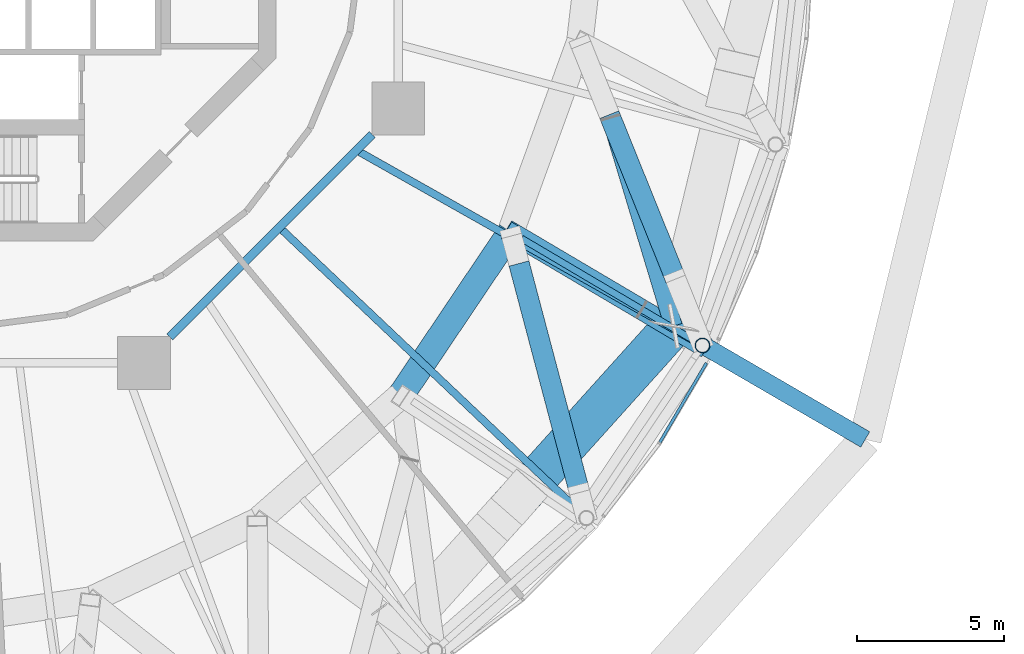
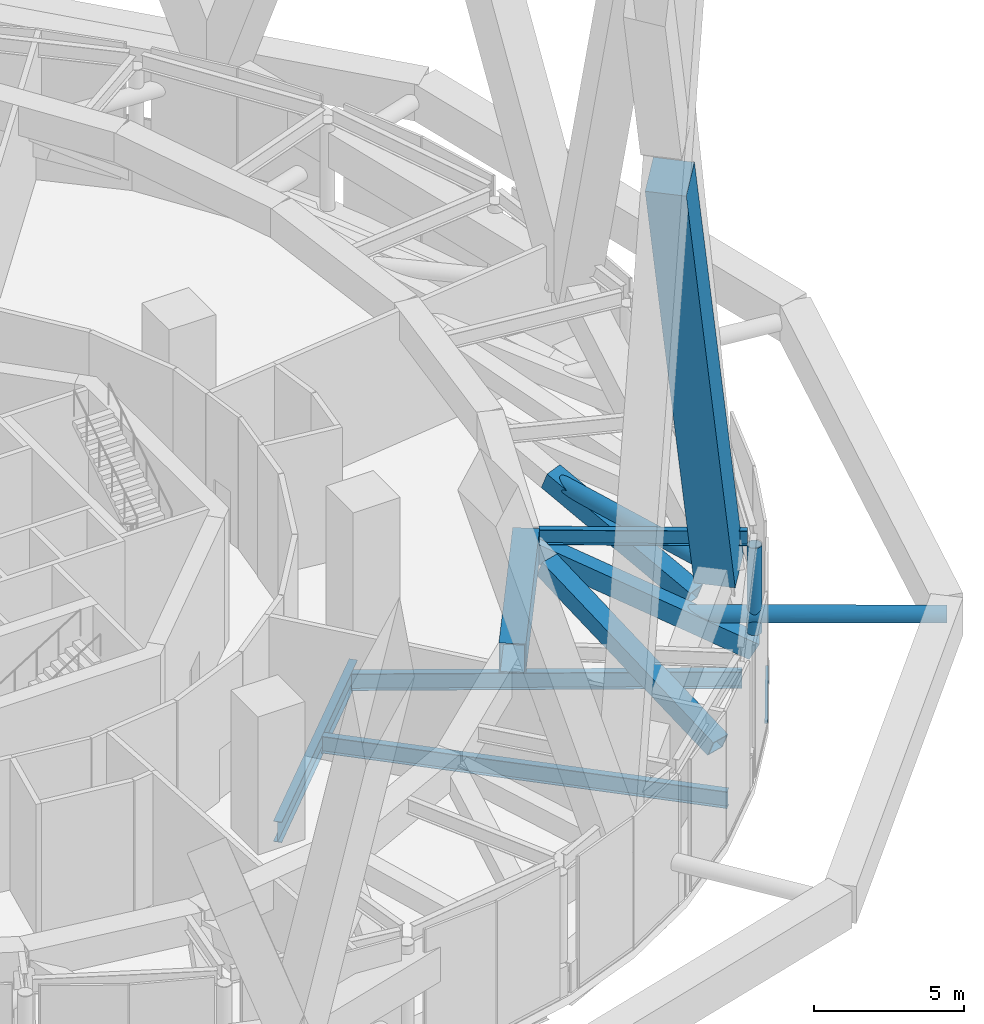
# One storey, part 21 of 60: 8 beams, 5 members, 1 element without a shape of its own.
"""IFC4 building model written with IfcOpenShell, lengths in metres."""

from ifc_helpers import new_model, si_unit, direction, frame, origin, origin_2d, place, context, subcontext, project, spatial, rectangle, hollow_rectangle, hollow_circle, i_section, extrude, material, layer, layer_set, material_profile, profile_set, type_object, element, aggregate, save


model = new_model("IFC4")

# Units and contexts
model_context = context("Model", 3, precision=1e-05, world=origin(), true_north=direction((0.0, 1.0)))
body_context = subcontext(model_context, "Body", "Model", "MODEL_VIEW")
ifc_project = project(units=[si_unit("LENGTHUNIT", "METRE"), si_unit("AREAUNIT", "SQUARE_METRE"), si_unit("VOLUMEUNIT", "CUBIC_METRE"), si_unit("PLANEANGLEUNIT", "RADIAN"), si_unit("MASSUNIT", "GRAM", prefix="KILO")], contexts=[model_context])

# Site, building, storey
site_placement = place(None, origin())
site = spatial("IfcSite", under=ifc_project, at=site_placement, CompositionType="ELEMENT")
building_placement = place(site_placement, origin())
building = spatial("IfcBuilding", under=site, at=building_placement, Name="Nagisa Residences", CompositionType="ELEMENT")
storey_placement = place(building_placement, frame((0.0, 0.0, 206.60009765625)))
storey = spatial("IfcBuildingStorey", under=building, at=storey_placement, Name="L52", CompositionType="ELEMENT", Elevation=206.60009765625)

# Beams
ifc_material_1 = material(Name="Steel ASTM A572 Gr 50", Category="steel")
ifc_material_profile_1 = material_profile(ifc_material_1, hollow_rectangle(XDim=0.89990234375, YDim=1.199951171875, WallThickness=0.044921875, at=origin_2d()), Name="BX 900x1200x45")
ifc_profile_set_1 = profile_set([ifc_material_profile_1], Name="Steel ASTM A572 Gr 50")
beam_type_1 = type_object("IfcBeamType", Name="Belt chord 4 BX 900x1200x45", PredefinedType="BEAM", material=ifc_profile_set_1)
beam_1_placement = place(storey_placement, frame((14.866455078125, -15.896484375, 4.739990234375), z_axis=(0.558112035626, 0.82976560286, 0.0), x_axis=(-0.82976560286, 0.558112035626, 0.0)))
element("IfcBeam", 1, at=beam_1_placement, inside=storey, type_object=beam_type_1, Name="beam:L52:bt4t22", PredefinedType="BEAM", context=body_context, shape_type="SweptSolid", body=[
    extrude(hollow_rectangle(XDim=0.89990234375, YDim=1.199951171875, WallThickness=0.044921875, at=origin_2d()), origin(), (0.0, 0.0, 1.0), 6.711669921875),
])
ifc_material_2 = material(Name="Steel ASTM A572 Gr 50", Category="steel")
ifc_material_profile_2 = material_profile(ifc_material_2, hollow_rectangle(XDim=0.699951171875, YDim=0.699951171875, WallThickness=0.0400390625, at=origin_2d()), Name="BX 700x700x40")
ifc_profile_set_2 = profile_set([ifc_material_profile_2], Name="Steel ASTM A572 Gr 50")
beam_type_2 = type_object("IfcBeamType", Name="Belt diagonal 4 BX 700x700x40", PredefinedType="BEAM", material=ifc_profile_set_2)
beam_2_placement = place(storey_placement, frame((20.9248046875, -19.064697265625, 1.02490234375), z_axis=(-0.236643717493, 0.89413359183, 0.380164268353), x_axis=(-0.966715578551, -0.255853454514, 0.0)))
element("IfcBeam", 2, at=beam_2_placement, inside=storey, type_object=beam_type_2, Name="beam:L52:bt4db22", PredefinedType="BEAM", context=body_context, shape_type="SweptSolid", body=[
    extrude(hollow_rectangle(XDim=0.699951171875, YDim=0.699951171875, WallThickness=0.0400390625, at=origin_2d()), origin(), (0.0, 0.0, 1.0), 8.7197265625),
])
beam_3_placement = place(storey_placement, frame((25.142333984375, -14.1875, 0.599853515625), z_axis=(-0.755624218182, 0.446673440523, 0.47907711115), x_axis=(-0.508871351349, -0.860842580136, 0.0)))
element("IfcBeam", 3, at=beam_3_placement, inside=storey, type_object=beam_type_2, Name="beam:L52:bt4da23", PredefinedType="BEAM", context=body_context, shape_type="SweptSolid", body=[
    extrude(hollow_rectangle(XDim=0.699951171875, YDim=0.699951171875, WallThickness=0.0400390625, at=origin_2d()), origin(), (0.0, 0.0, 1.0), 8.641845703125),
])
beam_4_placement = place(storey_placement, frame((24.184326171875, -11.8134765625, 1.5498046875), z_axis=(-0.350895423779, 0.869389483079, 0.347899882556), x_axis=(-0.927317435113, -0.374275800093, 0.0)))
element("IfcBeam", 4, at=beam_4_placement, inside=storey, type_object=beam_type_2, Name="beam:L52:bt4db23", PredefinedType="BEAM", context=body_context, shape_type="SweptSolid", body=[
    extrude(hollow_rectangle(XDim=0.699951171875, YDim=0.699951171875, WallThickness=0.0400390625, at=origin_2d()), origin(), (0.0, 0.0, 1.0), 6.438720703125),
])

# Curtain wall, member
ifc_material_3 = material(Name="Aluminium curtain wall system", Category="aluminium")
ifc_layer = layer(ifc_material_3, 0.159912109375)
ifc_layer_set = layer_set([ifc_layer], Name="CW5 CURTAIN WALL")
curtain_wall_type = type_object("IfcCurtainWallType", Name="CW5 CURTAIN WALL", PredefinedType="NOTDEFINED", material=ifc_layer_set)
curtain_wall_placement = place(storey_placement, origin())
curtain_wall = element("IfcCurtainWall", 5, at=curtain_wall_placement, inside=storey, type_object=curtain_wall_type, Name="cw:CW5:L52:43", PredefinedType="NOTDEFINED")
ifc_material_4 = material(Name="Aluminium", Category="aluminium")
ifc_material_profile_3 = material_profile(ifc_material_4, rectangle(XDim=0.10009765625, YDim=0.1201171875, at=origin_2d()), Name="CW5 TRANSOM 100x120")
ifc_profile_set_3 = profile_set([ifc_material_profile_3], Name="Aluminium")
member_type_1 = type_object("IfcMemberType", Name="CW5 TRANSOM 100x120", PredefinedType="USERDEFINED", material=ifc_profile_set_3)
member_1_placement = place(storey_placement, frame((23.662353515625, -17.53759765625, 0.059814453125), z_axis=(0.506351440245, 0.862327211076, 0.0), x_axis=(-0.862327211076, 0.506351440245, 0.0)))
member_1 = element("IfcMember", 6, at=member_1_placement, type_object=member_type_1, Name="CW5 transom", ObjectType="TRANSOM", PredefinedType="USERDEFINED", context=body_context, shape_type="SweptSolid", body=[
    extrude(rectangle(XDim=0.10009765625, YDim=0.1201171875, at=origin_2d()), origin(), (0.0, 0.0, 1.0), 3.19189453125),
])
aggregate(curtain_wall, [member_1])

# Members
ifc_material_5 = material(Name="Concrete C80", Category="concrete")
ifc_material_profile_4 = material_profile(ifc_material_5, rectangle(XDim=1.39990234375, YDim=1.39990234375, at=origin_2d()), Name="C80 1400x1400")
ifc_profile_set_4 = profile_set([ifc_material_profile_4], Name="Concrete C80")
member_type_2 = type_object("IfcMemberType", Name="Cage diagonal 5 C80 1400x1400", PredefinedType="BRACE", material=ifc_profile_set_4)
member_2_placement = place(storey_placement, frame((24.15478515625, -13.52734375, 3.699951171875), z_axis=(-0.231313832121, -0.256931545346, 0.938339007009), x_axis=(0.743185630651, -0.669085284843, 0.0)))
element("IfcMember", 7, at=member_2_placement, inside=storey, type_object=member_type_2, Name="mem:L52:cg5d022a", PredefinedType="BRACE", context=body_context, shape_type="SweptSolid", body=[
    extrude(rectangle(XDim=1.39990234375, YDim=1.39990234375, at=origin_2d()), origin(), (0.0, 0.0, 1.0), 22.653076171875),
])
ifc_material_6 = material(Name="Steel ASTM A572 Gr 65", Category="steel")
ifc_material_profile_5 = material_profile(ifc_material_6, hollow_circle(Radius=0.304931640625, WallThickness=0.02490234375, at=origin_2d()), Name="CHS 610x25")
ifc_profile_set_5 = profile_set([ifc_material_profile_5], Name="Steel ASTM A572 Gr 65")
member_type_3 = type_object("IfcMemberType", Name="Cage strut CHS 610x25", PredefinedType="STRUT", material=ifc_profile_set_5)
member_3_placement = place(storey_placement, frame((30.68505859375, -17.387451171875, 1.89990234375), z_axis=(-0.864634697119, 0.502401075376, 0.0), x_axis=(-0.502401075376, -0.864634697119, 0.0)))
element("IfcMember", 8, at=member_3_placement, inside=storey, type_object=member_type_3, Name="mem:L52:bt4st4a12", PredefinedType="STRUT", context=body_context, shape_type="SweptSolid", body=[
    extrude(hollow_circle(Radius=0.304931640625, WallThickness=0.02490234375, at=origin_2d()), origin(), (0.0, 0.0, 1.0), 8.781982421875),
])
member_4_placement = place(storey_placement, frame((24.15478515625, -13.52734375, 3.699951171875), z_axis=(-0.288957254291, 0.957342000119, 0.0), x_axis=(-0.957342000119, -0.288957254291, 0.0)))
element("IfcMember", 9, at=member_4_placement, inside=storey, type_object=member_type_3, Name="mem:L52:bt4st5b12", PredefinedType="STRUT", context=body_context, shape_type="SweptSolid", body=[
    extrude(hollow_circle(Radius=0.304931640625, WallThickness=0.02490234375, at=origin_2d()), origin(), (0.0, 0.0, 1.0), 7.402099609375),
])
ifc_material_7 = material(Name="Steel ASTM A572 Gr 65", Category="steel")
ifc_material_profile_6 = material_profile(ifc_material_7, hollow_circle(Radius=0.25390625, WallThickness=0.02001953125, at=origin_2d()), Name="CHS 508x20")
ifc_profile_set_6 = profile_set([ifc_material_profile_6], Name="Steel ASTM A572 Gr 65")
member_type_4 = type_object("IfcMemberType", Name="Garden edge post CHS 508x20", PredefinedType="POST", material=ifc_profile_set_6)
member_5_placement = place(storey_placement, frame((25.142333984375, -14.1875, 1.199951171875), z_axis=(0.0, 0.0, 1.0), x_axis=(1.0, 0.0, 0.0)))
element("IfcMember", 10, at=member_5_placement, inside=storey, type_object=member_type_4, Name="mem:L52:gp423", PredefinedType="POST", context=body_context, shape_type="SweptSolid", body=[
    extrude(hollow_circle(Radius=0.25390625, WallThickness=0.02001953125, at=origin_2d()), origin(), (0.0, 0.0, 1.0), 3.536865234375),
])

# Beams
ifc_material_8 = material(Name="Steel ASTM A572 Gr 50", Category="steel")
ifc_material_profile_7 = material_profile(ifc_material_8, i_section(OverallWidth=0.22802734375, OverallDepth=0.60302734375, WebThickness=0.010498046875, FlangeThickness=0.014892578125, at=origin_2d()), Name="W610x101")
ifc_profile_set_7 = profile_set([ifc_material_profile_7], Name="Steel ASTM A572 Gr 50")
beam_type_3 = type_object("IfcBeamType", Name="Garden radial beam W610x101", PredefinedType="BEAM", material=ifc_profile_set_7)
beam_5_placement = place(storey_placement, frame((24.94091796875, -14.068359375, 5.038330078125), z_axis=(-0.860845062404, 0.508867152147, 0.0), x_axis=(-0.508867152147, -0.860845062404, 0.0)))
element("IfcBeam", 11, at=beam_5_placement, inside=storey, type_object=beam_type_3, Name="beam:L52:bt4gr23", PredefinedType="BEAM", context=body_context, shape_type="SweptSolid", body=[
    extrude(i_section(OverallWidth=0.22802734375, OverallDepth=0.60302734375, WebThickness=0.010498046875, FlangeThickness=0.014892578125, at=origin_2d()), origin(), (0.0, 0.0, 1.0), 6.921630859375),
])
ifc_material_9 = material(Name="Steel ASTM A572 Gr 50", Category="steel")
ifc_material_profile_8 = material_profile(ifc_material_9, i_section(OverallWidth=0.2919921875, OverallDepth=0.8349609375, WebThickness=0.013916015625, FlangeThickness=0.018798828125, at=origin_2d()), Name="W840x176")
ifc_profile_set_8 = profile_set([ifc_material_profile_8], Name="Steel ASTM A572 Gr 50")
beam_type_4 = type_object("IfcBeamType", Name="Inner ring beam W840x176", PredefinedType="BEAM", material=ifc_profile_set_8)
beam_6_placement = place(storey_placement, frame((7.0087890625, -13.896240234375, -0.767578125), z_axis=(0.707106781187, 0.707106781187, 0.0), x_axis=(-0.707106781187, 0.707106781187, 0.0)))
element("IfcBeam", 12, at=beam_6_placement, inside=storey, type_object=beam_type_4, Name="beam:L52:ib7", PredefinedType="BEAM", context=body_context, shape_type="SweptSolid", body=[
    extrude(i_section(OverallWidth=0.2919921875, OverallDepth=0.8349609375, WebThickness=0.013916015625, FlangeThickness=0.018798828125, at=origin_2d()), origin(), (0.0, 0.0, 1.0), 9.740234375),
])
ifc_material_10 = material(Name="Steel ASTM A572 Gr 50", Category="steel")
ifc_material_profile_9 = material_profile(ifc_material_10, i_section(OverallWidth=0.25390625, OverallDepth=0.68408203125, WebThickness=0.012451171875, FlangeThickness=0.018798828125, at=origin_2d()), Name="W690x140")
ifc_profile_set_9 = profile_set([ifc_material_profile_9], Name="Steel ASTM A572 Gr 50")
beam_type_5 = type_object("IfcBeamType", Name="Radial beam W690x140", PredefinedType="BEAM", material=ifc_profile_set_9)
beam_7_placement = place(storey_placement, frame((20.89501953125, -19.785400390625, -0.692138671875), z_axis=(-0.726128519614, 0.687558996016, 0.0), x_axis=(-0.687558996016, -0.726128519614, 0.0)))
element("IfcBeam", 13, at=beam_7_placement, inside=storey, type_object=beam_type_5, Name="beam:L52:rb22", PredefinedType="BEAM", context=body_context, shape_type="SweptSolid", body=[
    extrude(i_section(OverallWidth=0.25390625, OverallDepth=0.68408203125, WebThickness=0.012451171875, FlangeThickness=0.018798828125, at=origin_2d()), origin(), (0.0, 0.0, 1.0), 13.862548828125),
])
beam_8_placement = place(storey_placement, frame((24.789306640625, -13.98828125, -0.692138671875), z_axis=(-0.870908534704, 0.491445138526, 0.0), x_axis=(-0.491445138526, -0.870908534704, 0.0)))
element("IfcBeam", 14, at=beam_8_placement, inside=storey, type_object=beam_type_5, Name="beam:L52:rb23", PredefinedType="BEAM", context=body_context, shape_type="SweptSolid", body=[
    extrude(i_section(OverallWidth=0.25390625, OverallDepth=0.68408203125, WebThickness=0.012451171875, FlangeThickness=0.018798828125, at=origin_2d()), origin(), (0.0, 0.0, 1.0), 12.9873046875),
])

save(model, "model.ifc")
